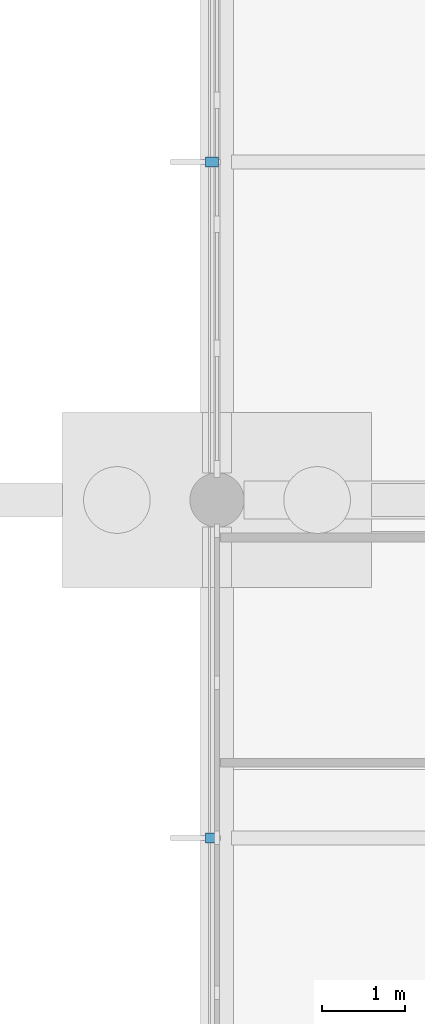
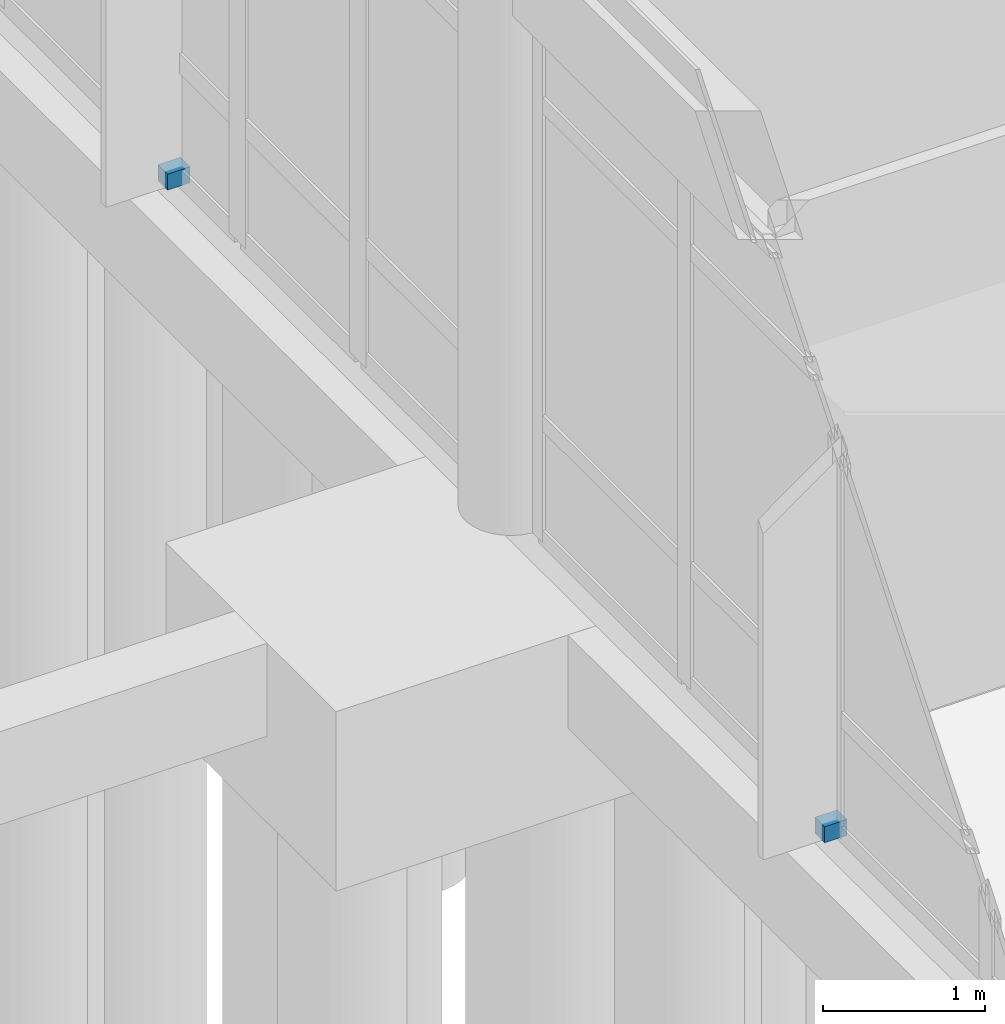
# One storey, part 66 of 103: 2 discrete accessories.
"""IFC4 building model written with IfcOpenShell, lengths in metres."""

from ifc_helpers import new_model, si_unit, direction, frame, origin, origin_2d, place, context, subcontext, project, spatial, rectangle, extrude, material, type_object, element, save


model = new_model("IFC4")

# Units and contexts
model_context = context("Model", 3, precision=1e-05, world=origin(), true_north=direction((0.0, 1.0)))
body_context = subcontext(model_context, "Body", "Model", "MODEL_VIEW")
ifc_project = project(units=[si_unit("LENGTHUNIT", "METRE"), si_unit("AREAUNIT", "SQUARE_METRE"), si_unit("VOLUMEUNIT", "CUBIC_METRE"), si_unit("PLANEANGLEUNIT", "RADIAN"), si_unit("MASSUNIT", "GRAM", prefix="KILO")], contexts=[model_context])

# Site, building, storey
site_placement = place(None, origin())
site = spatial("IfcSite", under=ifc_project, at=site_placement, CompositionType="ELEMENT")
building_placement = place(site_placement, origin())
building = spatial("IfcBuilding", under=site, at=building_placement, Name="Namkhue Oval Health Centre", CompositionType="ELEMENT")
storey_placement = place(building_placement, origin())
storey = spatial("IfcBuildingStorey", under=building, at=storey_placement, Name="L00", CompositionType="ELEMENT", Elevation=0.0)

# Discrete accessories
ifc_material = material(Name="Structural steel S355JR (TCVN CCT38)", Category="steel")
discrete_accessory_type = type_object("IfcDiscreteAccessoryType", Name="FACADE SHADING BRACKET", PredefinedType="BRACKET", material=ifc_material)
for number, where, z_axis, x_axis, name in (
    (1, (14.340087890625, 63.449951171875, 0.0), (0.0, 0.0, 1.0), (-1.0, 0.0, 0.0), "Solar Fin Bracket 18"),
    (2, (14.340087890625, 55.35009765625, 0.0), (0.0, 0.0, 1.0), (-1.0, 0.0, 0.0), "Solar Fin Bracket 19"),
):
    element("IfcDiscreteAccessory", number, at=place(storey_placement, frame(where, z_axis=z_axis, x_axis=x_axis)), inside=storey, type_object=discrete_accessory_type, Name=name, PredefinedType="BRACKET", context=body_context, shape_type="SweptSolid", body=[
        extrude(rectangle(XDim=0.159912109375, YDim=0.1201171875, at=origin_2d()), origin(), (0.0, 0.0, 1.0), 0.1201171875),
    ])

save(model, "model.ifc")
